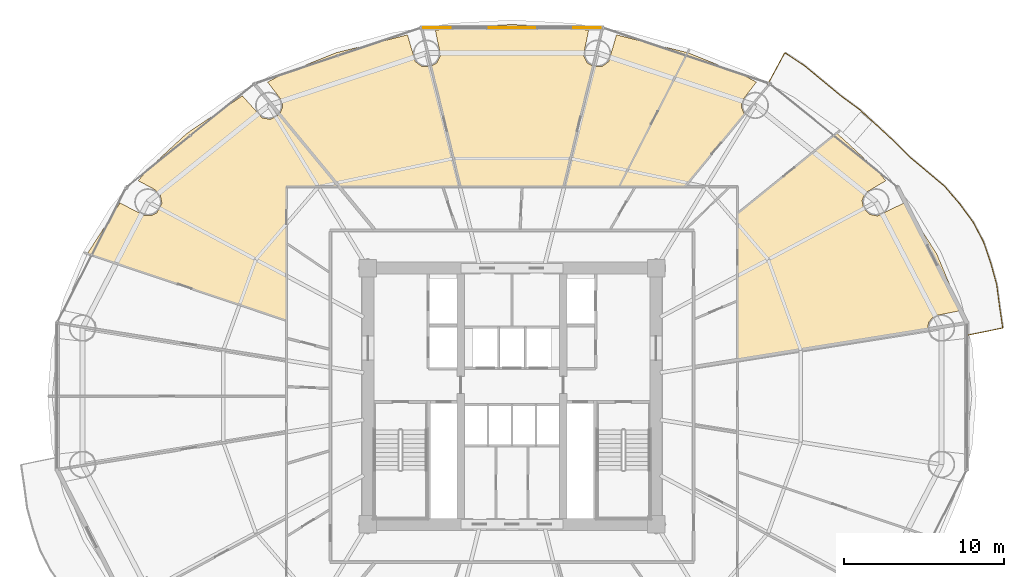
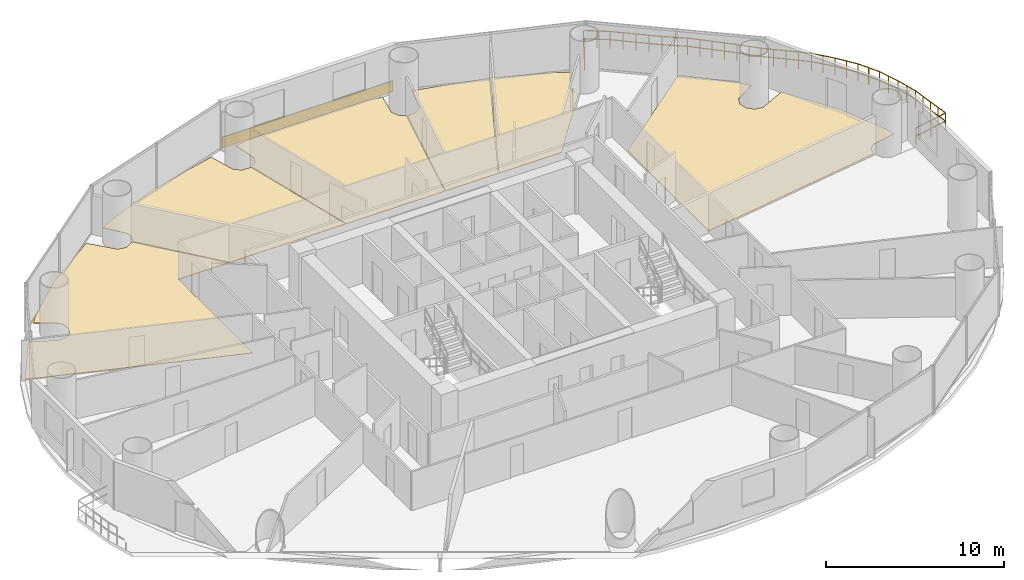
# One storey, part 28 of 28: 7 coverings, 1 railing.
"""IFC4 building model written with IfcOpenShell, lengths in metres."""

import ifcopenshell
import ifcopenshell.guid

model = None  # the IFC model being written
_history = None  # IfcOwnerHistory: only IFC2X3 demands one
_inside = {}  # id of a spatial element -> (the spatial element, [elements in it])
_under = {}  # id of a project, library or spatial element -> (it, [spatial elements below it])
_declared = {}  # id of a project -> (the project, [libraries it declares])
_typed = {}  # id of a type object -> (the type object, [elements of that type])
_made_of = {}  # id of a material, layer set ... -> (it, [elements and type objects made of it])


def new_model(schema):
    """Start an empty IFC model of exactly this schema.

    Asked for "IFC4X3", IfcOpenShell would pick the latest addendum, in which some entities
    have other attributes; the version numbers below select the first issue.
    IFC2X3 requires an IfcOwnerHistory on every rooted entity: one is made here for all.
    """
    global model, _history
    if schema == "IFC4X3":
        model = ifcopenshell.file(schema_version=(4, 3, 0, 0))
    else:
        model = ifcopenshell.file(schema=schema)
    _inside.clear()
    _under.clear()
    _declared.clear()
    _typed.clear()
    _made_of.clear()
    _history = None
    if model.schema == "IFC2X3":
        org = make("IfcOrganization", Name="unknown")
        user = make(
            "IfcPersonAndOrganization",
            ThePerson=make("IfcPerson", FamilyName="unknown"),
            TheOrganization=org,
        )
        app = make(
            "IfcApplication",
            ApplicationDeveloper=org,
            Version="unknown",
            ApplicationFullName="unknown",
            ApplicationIdentifier="unknown",
        )
        _history = make(
            "IfcOwnerHistory",
            OwningUser=user,
            OwningApplication=app,
            ChangeAction="ADDED",
            CreationDate=0,
        )
    return model


def make(cls, **values):
    """One entity of the class cls with the attributes given. An attribute that is None is left unset."""
    return model.create_entity(
        cls, **{name: value for name, value in values.items() if value is not None}
    )


def rooted(cls, **values):
    """An entity with a GlobalId (a new one), such as an element, a storey or a relation."""
    return make(cls, GlobalId=ifcopenshell.guid.new(), OwnerHistory=_history, **values)


def si_unit(unit_type, name, prefix=None):
    """IfcSIUnit, for example si_unit("LENGTHUNIT", "METRE", prefix="MILLI")."""
    return make("IfcSIUnit", UnitType=unit_type, Prefix=prefix, Name=name)


def assignment(units):
    """IfcUnitAssignment: the units of a project."""
    return None if units is None else make("IfcUnitAssignment", Units=units)


def point(xyz):
    """IfcCartesianPoint."""
    return None if xyz is None else make("IfcCartesianPoint", Coordinates=xyz)


def direction(xyz):
    """IfcDirection."""
    return None if xyz is None else make("IfcDirection", DirectionRatios=xyz)


def frame(location, z_axis=None, x_axis=None):
    """IfcAxis2Placement3D, a coordinate frame: its origin and axes. An axis left out is left unset."""
    return make(
        "IfcAxis2Placement3D",
        Location=point(location),
        Axis=direction(z_axis),
        RefDirection=direction(x_axis),
    )


def frame_2d(location, x_axis=None):
    """IfcAxis2Placement2D, a coordinate frame in the plane: its origin and x axis."""
    return make(
        "IfcAxis2Placement2D", Location=point(location), RefDirection=direction(x_axis)
    )


def origin():
    """The frame at (0, 0, 0) with its axes left unset."""
    return frame((0.0, 0.0, 0.0))


def origin_2d():
    """The frame at (0, 0) in the plane with its x axis left unset."""
    return frame_2d((0.0, 0.0))


def place(relative_to, where):
    """IfcLocalPlacement: puts the frame where relative to a parent placement (None: the world)."""
    return make(
        "IfcLocalPlacement", PlacementRelTo=relative_to, RelativePlacement=where
    )


def context(
    kind, dimensions, precision=None, world=None, true_north=None, identifier=None
):
    """IfcGeometricRepresentationContext, for example the 3D "Model" context."""
    return make(
        "IfcGeometricRepresentationContext",
        ContextIdentifier=identifier,
        ContextType=kind,
        CoordinateSpaceDimension=dimensions,
        Precision=precision,
        WorldCoordinateSystem=world,
        TrueNorth=true_north,
    )


def subcontext(parent, identifier, kind, view, scale=None):
    """IfcGeometricRepresentationSubContext, for example "Body" below "Model"."""
    return make(
        "IfcGeometricRepresentationSubContext",
        ContextIdentifier=identifier,
        ContextType=kind,
        ParentContext=parent,
        TargetScale=scale,
        TargetView=view,
    )


def project(units=None, contexts=None):
    """IfcProject with its units and contexts."""
    return rooted(
        "IfcProject",
        Name="project",
        RepresentationContexts=contexts,
        UnitsInContext=assignment(units),
    )


def spatial(cls, under=None, at=None, **own):
    """A site, building, storey or space (cls), placed at a placement, below another one or the project."""
    s = rooted(cls, ObjectPlacement=at, **own)
    if under is not None:
        _under.setdefault(under.id(), (under, []))[1].append(s)
    return s


def polyline(points):
    """IfcPolyline through the points."""
    return make("IfcPolyline", Points=[point(p) for p in points])


def profile(cls, at=None, kind="AREA", **sizes):
    """A parametric profile (cls). Its sizes go by their IFC names, for example OverallWidth=200.0."""
    return make(cls, ProfileType=kind, Position=at, **sizes)


def rectangle(**sizes):
    """IfcRectangleProfileDef."""
    return profile("IfcRectangleProfileDef", **sizes)


def outline(outer, holes=None, kind="AREA"):
    """IfcArbitraryClosedProfileDef: a profile drawn as a closed curve; with holes, ...WithVoids."""
    if holes is None:
        return make("IfcArbitraryClosedProfileDef", ProfileType=kind, OuterCurve=outer)
    return make(
        "IfcArbitraryProfileDefWithVoids",
        ProfileType=kind,
        OuterCurve=outer,
        InnerCurves=holes,
    )


def extrude(swept, where, along, depth):
    """IfcExtrudedAreaSolid: the profile swept, set in the frame where, extruded along a direction by depth."""
    return make(
        "IfcExtrudedAreaSolid",
        SweptArea=swept,
        Position=where,
        ExtrudedDirection=direction(along),
        Depth=depth,
    )


def shape(context_of_items, identifier, shape_type, items):
    """IfcShapeRepresentation: the items that make up one representation, for example the "Body"."""
    return make(
        "IfcShapeRepresentation",
        ContextOfItems=context_of_items,
        RepresentationIdentifier=identifier,
        RepresentationType=shape_type,
        Items=items,
    )


def source(mapping_origin, context_of_items, identifier, shape_type, items):
    """IfcRepresentationMap: a shape defined once, which mapped items show again and again."""
    return make(
        "IfcRepresentationMap",
        MappingOrigin=mapping_origin,
        MappedRepresentation=shape(context_of_items, identifier, shape_type, items),
    )


def transform(
    local_origin,
    x_axis=None,
    y_axis=None,
    z_axis=None,
    scale=None,
    scale2=None,
    scale3=None,
    uniform=True,
):
    """IfcCartesianTransformationOperator3D, or its non-uniform kind. x_axis, y_axis, z_axis: its Axis1, 2, 3."""
    if uniform:
        return make(
            "IfcCartesianTransformationOperator3D",
            Axis1=direction(x_axis),
            Axis2=direction(y_axis),
            LocalOrigin=point(local_origin),
            Scale=scale,
            Axis3=direction(z_axis),
        )
    return make(
        "IfcCartesianTransformationOperator3DnonUniform",
        Axis1=direction(x_axis),
        Axis2=direction(y_axis),
        LocalOrigin=point(local_origin),
        Scale=scale,
        Axis3=direction(z_axis),
        Scale2=scale2,
        Scale3=scale3,
    )


def mapped(mapping_source, mapping_target):
    """IfcMappedItem: shows the shape of a source again, moved by a transform."""
    return make(
        "IfcMappedItem", MappingSource=mapping_source, MappingTarget=mapping_target
    )


def material(Name=None, Category=None):
    """IfcMaterial."""
    return make("IfcMaterial", Name=Name, Category=Category)


def layer(
    of_material, thickness, ventilated=None, Name=None, Category=None, Priority=None
):
    """IfcMaterialLayer: one layer of a wall or slab, of a material (None: an air gap)."""
    return make(
        "IfcMaterialLayer",
        Material=of_material,
        LayerThickness=thickness,
        IsVentilated=ventilated,
        Name=Name,
        Category=Category,
        Priority=Priority,
    )


def layer_set(layers, Name=None):
    """IfcMaterialLayerSet."""
    return make("IfcMaterialLayerSet", MaterialLayers=layers, LayerSetName=Name)


def made_of(thing, what):
    """Note that an element or type object is made of a material, layer set ...; save() writes the relation."""
    if what is not None:
        _made_of.setdefault(what.id(), (what, []))[1].append(thing)
    return thing


def type_object(cls, material=None, **own):
    """A type object (cls), such as IfcWallType, which elements share."""
    return made_of(rooted(cls, **own), material)


def element(
    cls,
    number,
    at=None,
    inside=None,
    cuts=None,
    type_object=None,
    material=None,
    context=None,
    identifier="Body",
    shape_type=None,
    held_by="IfcProductDefinitionShape",
    body=None,
    shapes=None,
    **own,
):
    """One element of the class cls, such as IfcWall. Its Tag is "e" and its number.

    at: its placement. inside: the storey or other place that contains it. cuts: it is an
    opening in that element (IfcRelVoidsElement). A single representation is given by context,
    identifier, shape_type and body (its items); several are given by shapes. held_by: the class
    of the entity that holds the representations. save() writes the other relations.
    """
    e = rooted(cls, Tag="e%d" % number, ObjectPlacement=at, **own)
    if body is not None:
        shapes = [shape(context, identifier, shape_type, body)]
    if shapes is not None:
        e.Representation = make(held_by, Representations=shapes)
    if inside is not None:
        _inside.setdefault(inside.id(), (inside, []))[1].append(e)
    if cuts is not None:
        rooted(
            "IfcRelVoidsElement", RelatingBuildingElement=cuts, RelatedOpeningElement=e
        )
    if type_object is not None:
        _typed.setdefault(type_object.id(), (type_object, []))[1].append(e)
    return made_of(e, material)


def aggregate(whole, parts):
    """IfcRelAggregates: a whole, such as a stair, and the parts it consists of."""
    return rooted("IfcRelAggregates", RelatingObject=whole, RelatedObjects=parts)


def save(model, path):
    """Write the relations noted so far, then the file.

    IfcRelAggregates (storeys below a building ...), IfcRelContainedInSpatialStructure (elements
    in a storey), IfcRelDefinesByType, IfcRelAssociatesMaterial and IfcRelDeclares: one each for
    every whole, place, type object, material and project.
    """
    for whole, parts in _under.values():
        aggregate(whole, parts)
    for where, things in _inside.values():
        rooted(
            "IfcRelContainedInSpatialStructure",
            RelatedElements=things,
            RelatingStructure=where,
        )
    for kind, things in _typed.values():
        rooted("IfcRelDefinesByType", RelatedObjects=things, RelatingType=kind)
    for what, things in _made_of.values():
        rooted("IfcRelAssociatesMaterial", RelatedObjects=things, RelatingMaterial=what)
    for by, libraries in _declared.values():
        rooted("IfcRelDeclares", RelatingContext=by, RelatedDefinitions=libraries)
    model.write(path)


model = new_model("IFC4")

# Units and contexts
model_context = context("Model", 3, precision=1e-05, world=origin(), true_north=direction((-0.2419218956, 0.970295726276)))
body_context = subcontext(model_context, "Body", "Model", "MODEL_VIEW")
ifc_project = project(units=[si_unit("LENGTHUNIT", "METRE"), si_unit("AREAUNIT", "SQUARE_METRE"), si_unit("VOLUMEUNIT", "CUBIC_METRE"), si_unit("PLANEANGLEUNIT", "RADIAN"), si_unit("MASSUNIT", "GRAM", prefix="KILO")], contexts=[model_context])

# Site, building, storey
site_placement = place(None, origin())
site = spatial("IfcSite", under=ifc_project, at=site_placement, CompositionType="ELEMENT")
building_placement = place(site_placement, origin())
building = spatial("IfcBuilding", under=site, at=building_placement, Name="Cobrevalo Terracotta Tower", CompositionType="ELEMENT")
storey_placement = place(building_placement, frame((0.0, 0.0, 42.0)))
storey = spatial("IfcBuildingStorey", under=building, at=storey_placement, Name="L10", CompositionType="ELEMENT", Elevation=42.0)

# Railing
ifc_material_1 = material(Name="Laminated structural glass and stainless steel", Category="steel")
railing_type = type_object("IfcRailingType", Name="Balcony lobe structural glass & terracotta-cap balustrade 1180 mm", PredefinedType="BALUSTRADE", material=ifc_material_1)
railing_placement = place(storey_placement, frame((66.475341796875, 30.618408203125, 0.0)))
element("IfcRailing", 1, at=railing_placement, inside=storey, type_object=railing_type, Name="L10 spiralling balcony lobe balustrade 1", PredefinedType="BALUSTRADE", context=body_context, shape_type="SweptSolid", body=[
    extrude(rectangle(XDim=0.048095703125, YDim=0.048095703125, at=origin_2d()), frame((0.0, 0.0, 1.15576171875), z_axis=(0.979786025764, 0.200048353448, 0.0), x_axis=(-0.200048353448, 0.979786025764, 0.0)), (0.0, 0.0, 1.0), 2.219970703125),
    extrude(rectangle(XDim=0.048095703125, YDim=0.048095703125, at=origin_2d()), frame((0.0, 0.0, 0.58984375), z_axis=(0.979786025764, 0.200048353448, 0.0), x_axis=(-0.200048353448, 0.979786025764, 0.0)), (0.0, 0.0, 1.0), 2.219970703125),
    extrude(rectangle(XDim=0.048095703125, YDim=0.048095703125, at=origin_2d()), frame((2.175048828125, 0.444091796875, 1.15576171875), z_axis=(-0.144640429944, 0.989484282859, 0.0), x_axis=(-0.989484282859, -0.144640429944, 0.0)), (0.0, 0.0, 1.0), 1.35888671875),
    extrude(rectangle(XDim=0.048095703125, YDim=0.048095703125, at=origin_2d()), frame((2.175048828125, 0.444091796875, 0.58984375), z_axis=(-0.144640429944, 0.989484282859, 0.0), x_axis=(-0.989484282859, -0.144640429944, 0.0)), (0.0, 0.0, 1.0), 1.35888671875),
    extrude(rectangle(XDim=0.048095703125, YDim=0.048095703125, at=origin_2d()), frame((1.978515625, 1.78857421875, 1.15576171875), z_axis=(-0.131525956462, 0.991312727033, 0.0), x_axis=(-0.991312727033, -0.131525956462, 0.0)), (0.0, 0.0, 1.0), 1.379150390625),
    extrude(rectangle(XDim=0.048095703125, YDim=0.048095703125, at=origin_2d()), frame((1.978515625, 1.78857421875, 0.58984375), z_axis=(-0.131525956462, 0.991312727033, 0.0), x_axis=(-0.991312727033, -0.131525956462, 0.0)), (0.0, 0.0, 1.0), 1.379150390625),
    extrude(rectangle(XDim=0.048095703125, YDim=0.048095703125, at=origin_2d()), frame((1.797119140625, 3.15576171875, 1.15576171875), z_axis=(-0.265783120913, 0.964032848319, 0.0), x_axis=(-0.964032848319, -0.265783120913, 0.0)), (0.0, 0.0, 1.0), 1.394287109375),
    extrude(rectangle(XDim=0.048095703125, YDim=0.048095703125, at=origin_2d()), frame((1.797119140625, 3.15576171875, 0.58984375), z_axis=(-0.265783120913, 0.964032848319, 0.0), x_axis=(-0.964032848319, -0.265783120913, 0.0)), (0.0, 0.0, 1.0), 1.394287109375),
    extrude(rectangle(XDim=0.048095703125, YDim=0.048095703125, at=origin_2d()), frame((1.426513671875, 4.5, 1.15576171875), z_axis=(-0.323330406912, 0.946286134299, 0.0), x_axis=(-0.946286134299, -0.323330406912, 0.0)), (0.0, 0.0, 1.0), 1.400634765625),
    extrude(rectangle(XDim=0.048095703125, YDim=0.048095703125, at=origin_2d()), frame((1.426513671875, 4.5, 0.58984375), z_axis=(-0.323330406912, 0.946286134299, 0.0), x_axis=(-0.946286134299, -0.323330406912, 0.0)), (0.0, 0.0, 1.0), 1.400634765625),
    extrude(rectangle(XDim=0.048095703125, YDim=0.048095703125, at=origin_2d()), frame((0.9736328125, 5.825439453125, 1.15576171875), z_axis=(-0.467425457667, 0.884032488953, 0.0), x_axis=(-0.884032488953, -0.467425457667, 0.0)), (0.0, 0.0, 1.0), 1.40771484375),
    extrude(rectangle(XDim=0.048095703125, YDim=0.048095703125, at=origin_2d()), frame((0.9736328125, 5.825439453125, 0.58984375), z_axis=(-0.467425457667, 0.884032488953, 0.0), x_axis=(-0.884032488953, -0.467425457667, 0.0)), (0.0, 0.0, 1.0), 1.40771484375),
    extrude(rectangle(XDim=0.048095703125, YDim=0.048095703125, at=origin_2d()), frame((0.315673828125, 7.06982421875, 1.15576171875), z_axis=(-0.593257524322, 0.805012738928, 0.0), x_axis=(-0.805012738928, -0.593257524322, 0.0)), (0.0, 0.0, 1.0), 1.423828125),
    extrude(rectangle(XDim=0.048095703125, YDim=0.048095703125, at=origin_2d()), frame((0.315673828125, 7.06982421875, 0.58984375), z_axis=(-0.593257524322, 0.805012738928, 0.0), x_axis=(-0.805012738928, -0.593257524322, 0.0)), (0.0, 0.0, 1.0), 1.423828125),
    extrude(rectangle(XDim=0.048095703125, YDim=0.048095703125, at=origin_2d()), frame((-0.529052734375, 8.216064453125, 1.15576171875), z_axis=(-0.650748670381, 0.759293202918, 0.0), x_axis=(-0.759293202918, -0.650748670381, 0.0)), (0.0, 0.0, 1.0), 1.41259765625),
    extrude(rectangle(XDim=0.048095703125, YDim=0.048095703125, at=origin_2d()), frame((-0.529052734375, 8.216064453125, 0.58984375), z_axis=(-0.650748670381, 0.759293202918, 0.0), x_axis=(-0.759293202918, -0.650748670381, 0.0)), (0.0, 0.0, 1.0), 1.41259765625),
    extrude(rectangle(XDim=0.048095703125, YDim=0.048095703125, at=origin_2d()), frame((-1.4482421875, 9.28857421875, 1.15576171875), z_axis=(-0.76467627237, 0.6444146169, 0.0), x_axis=(-0.6444146169, -0.76467627237, 0.0)), (0.0, 0.0, 1.0), 1.45556640625),
    extrude(rectangle(XDim=0.048095703125, YDim=0.048095703125, at=origin_2d()), frame((-1.4482421875, 9.28857421875, 0.58984375), z_axis=(-0.76467627237, 0.6444146169, 0.0), x_axis=(-0.6444146169, -0.76467627237, 0.0)), (0.0, 0.0, 1.0), 1.45556640625),
    extrude(rectangle(XDim=0.048095703125, YDim=0.048095703125, at=origin_2d()), frame((-2.561279296875, 10.2265625, 1.15576171875), z_axis=(-0.76702627979, 0.641615684122, 0.0), x_axis=(-0.641615684122, -0.76702627979, 0.0)), (0.0, 0.0, 1.0), 1.425048828125),
    extrude(rectangle(XDim=0.048095703125, YDim=0.048095703125, at=origin_2d()), frame((-2.561279296875, 10.2265625, 0.58984375), z_axis=(-0.76702627979, 0.641615684122, 0.0), x_axis=(-0.641615684122, -0.76702627979, 0.0)), (0.0, 0.0, 1.0), 1.425048828125),
    extrude(rectangle(XDim=0.048095703125, YDim=0.048095703125, at=origin_2d()), frame((-3.654296875, 11.140869140625, 1.15576171875), z_axis=(-0.70510772044, 0.709100206301, 0.0), x_axis=(-0.709100206301, -0.70510772044, 0.0)), (0.0, 0.0, 1.0), 1.406494140625),
    extrude(rectangle(XDim=0.048095703125, YDim=0.048095703125, at=origin_2d()), frame((-3.654296875, 11.140869140625, 0.58984375), z_axis=(-0.70510772044, 0.709100206301, 0.0), x_axis=(-0.709100206301, -0.70510772044, 0.0)), (0.0, 0.0, 1.0), 1.406494140625),
    extrude(rectangle(XDim=0.048095703125, YDim=0.048095703125, at=origin_2d()), frame((-4.64599609375, 12.13818359375, 1.15576171875), z_axis=(-0.733969275627, 0.679182672361, 0.0), x_axis=(-0.679182672361, -0.733969275627, 0.0)), (0.0, 0.0, 1.0), 1.426025390625),
    extrude(rectangle(XDim=0.048095703125, YDim=0.048095703125, at=origin_2d()), frame((-4.64599609375, 12.13818359375, 0.58984375), z_axis=(-0.733969275627, 0.679182672361, 0.0), x_axis=(-0.679182672361, -0.733969275627, 0.0)), (0.0, 0.0, 1.0), 1.426025390625),
    extrude(rectangle(XDim=0.048095703125, YDim=0.048095703125, at=origin_2d()), frame((-5.692626953125, 13.106689453125, 1.15576171875), z_axis=(-0.736228238624, 0.676733315755, 0.0), x_axis=(-0.676733315755, -0.736228238624, 0.0)), (0.0, 0.0, 1.0), 1.423828125),
    extrude(rectangle(XDim=0.048095703125, YDim=0.048095703125, at=origin_2d()), frame((-5.692626953125, 13.106689453125, 0.58984375), z_axis=(-0.736228238624, 0.676733315755, 0.0), x_axis=(-0.676733315755, -0.736228238624, 0.0)), (0.0, 0.0, 1.0), 1.423828125),
    extrude(rectangle(XDim=0.048095703125, YDim=0.048095703125, at=origin_2d()), frame((-6.740966796875, 14.0703125, 1.15576171875), z_axis=(-0.805709975277, 0.592310252941, 0.0), x_axis=(-0.592310252941, -0.805709975277, 0.0)), (0.0, 0.0, 1.0), 1.452880859375),
    extrude(rectangle(XDim=0.048095703125, YDim=0.048095703125, at=origin_2d()), frame((-6.740966796875, 14.0703125, 0.58984375), z_axis=(-0.805709975277, 0.592310252941, 0.0), x_axis=(-0.592310252941, -0.805709975277, 0.0)), (0.0, 0.0, 1.0), 1.452880859375),
    extrude(rectangle(XDim=0.048095703125, YDim=0.048095703125, at=origin_2d()), frame((-7.91162109375, 14.930908203125, 1.15576171875), z_axis=(-0.771901335094, 0.635742344727, 0.0), x_axis=(-0.635742344727, -0.771901335094, 0.0)), (0.0, 0.0, 1.0), 1.463134765625),
    extrude(rectangle(XDim=0.048095703125, YDim=0.048095703125, at=origin_2d()), frame((-7.91162109375, 14.930908203125, 0.58984375), z_axis=(-0.771901335094, 0.635742344727, 0.0), x_axis=(-0.635742344727, -0.771901335094, 0.0)), (0.0, 0.0, 1.0), 1.463134765625),
    extrude(rectangle(XDim=0.048095703125, YDim=0.048095703125, at=origin_2d()), frame((-9.041015625, 15.861083984375, 1.15576171875), z_axis=(-0.768382955244, 0.63999033906, 0.0), x_axis=(-0.63999033906, -0.768382955244, 0.0)), (0.0, 0.0, 1.0), 1.485107421875),
    extrude(rectangle(XDim=0.048095703125, YDim=0.048095703125, at=origin_2d()), frame((-9.041015625, 15.861083984375, 0.58984375), z_axis=(-0.768382955244, 0.63999033906, 0.0), x_axis=(-0.63999033906, -0.768382955244, 0.0)), (0.0, 0.0, 1.0), 1.485107421875),
    extrude(rectangle(XDim=0.048095703125, YDim=0.048095703125, at=origin_2d()), frame((-10.18212890625, 16.8115234375, 1.15576171875), z_axis=(-0.834089009744, 0.55162987938, 0.0), x_axis=(-0.55162987938, -0.834089009744, 0.0)), (0.0, 0.0, 1.0), 1.506591796875),
    extrude(rectangle(XDim=0.048095703125, YDim=0.048095703125, at=origin_2d()), frame((-10.18212890625, 16.8115234375, 0.58984375), z_axis=(-0.834089009744, 0.55162987938, 0.0), x_axis=(-0.55162987938, -0.834089009744, 0.0)), (0.0, 0.0, 1.0), 1.506591796875),
    extrude(rectangle(XDim=0.048095703125, YDim=0.048095703125, at=origin_2d()), frame((-11.438720703125, 17.642578125, 1.15576171875), z_axis=(-0.474554750379, -0.880225987399, 0.0), x_axis=(0.880225987399, -0.474554750379, 0.0)), (0.0, 0.0, 1.0), 2.27197265625),
    extrude(rectangle(XDim=0.048095703125, YDim=0.048095703125, at=origin_2d()), frame((-11.438720703125, 17.642578125, 0.58984375), z_axis=(-0.474554750379, -0.880225987399, 0.0), x_axis=(0.880225987399, -0.474554750379, 0.0)), (0.0, 0.0, 1.0), 2.27197265625),
    extrude(rectangle(XDim=0.0419921875, YDim=0.0419921875, at=origin_2d()), origin(), (0.0, 0.0, 1.0), 1.1318359375),
    extrude(rectangle(XDim=0.0419921875, YDim=0.0419921875, at=origin_2d()), frame((1.08740234375, 0.22216796875, 0.0)), (0.0, 0.0, 1.0), 1.1318359375),
    extrude(rectangle(XDim=0.0419921875, YDim=0.0419921875, at=origin_2d()), frame((2.175048828125, 0.444091796875, 0.0)), (0.0, 0.0, 1.0), 1.1318359375),
    extrude(rectangle(XDim=0.0419921875, YDim=0.0419921875, at=origin_2d()), frame((2.07666015625, 1.1162109375, 0.0)), (0.0, 0.0, 1.0), 1.1318359375),
    extrude(rectangle(XDim=0.0419921875, YDim=0.0419921875, at=origin_2d()), frame((1.978515625, 1.78857421875, 0.0)), (0.0, 0.0, 1.0), 1.1318359375),
    extrude(rectangle(XDim=0.0419921875, YDim=0.0419921875, at=origin_2d()), frame((1.8876953125, 2.47216796875, 0.0)), (0.0, 0.0, 1.0), 1.1318359375),
    extrude(rectangle(XDim=0.0419921875, YDim=0.0419921875, at=origin_2d()), frame((1.797119140625, 3.15576171875, 0.0)), (0.0, 0.0, 1.0), 1.1318359375),
    extrude(rectangle(XDim=0.0419921875, YDim=0.0419921875, at=origin_2d()), frame((1.61181640625, 3.827880859375, 0.0)), (0.0, 0.0, 1.0), 1.1318359375),
    extrude(rectangle(XDim=0.0419921875, YDim=0.0419921875, at=origin_2d()), frame((1.426513671875, 4.5, 0.0)), (0.0, 0.0, 1.0), 1.1318359375),
    extrude(rectangle(XDim=0.0419921875, YDim=0.0419921875, at=origin_2d()), frame((1.2001953125, 5.16259765625, 0.0)), (0.0, 0.0, 1.0), 1.1318359375),
    extrude(rectangle(XDim=0.0419921875, YDim=0.0419921875, at=origin_2d()), frame((0.9736328125, 5.825439453125, 0.0)), (0.0, 0.0, 1.0), 1.1318359375),
    extrude(rectangle(XDim=0.0419921875, YDim=0.0419921875, at=origin_2d()), frame((0.64453125, 6.44775390625, 0.0)), (0.0, 0.0, 1.0), 1.1318359375),
    extrude(rectangle(XDim=0.0419921875, YDim=0.0419921875, at=origin_2d()), frame((0.315673828125, 7.06982421875, 0.0)), (0.0, 0.0, 1.0), 1.1318359375),
    extrude(rectangle(XDim=0.0419921875, YDim=0.0419921875, at=origin_2d()), frame((-0.106689453125, 7.64306640625, 0.0)), (0.0, 0.0, 1.0), 1.1318359375),
    extrude(rectangle(XDim=0.0419921875, YDim=0.0419921875, at=origin_2d()), frame((-0.529052734375, 8.216064453125, 0.0)), (0.0, 0.0, 1.0), 1.1318359375),
    extrude(rectangle(XDim=0.0419921875, YDim=0.0419921875, at=origin_2d()), frame((-0.98876953125, 8.75244140625, 0.0)), (0.0, 0.0, 1.0), 1.1318359375),
    extrude(rectangle(XDim=0.0419921875, YDim=0.0419921875, at=origin_2d()), frame((-1.4482421875, 9.28857421875, 0.0)), (0.0, 0.0, 1.0), 1.1318359375),
    extrude(rectangle(XDim=0.0419921875, YDim=0.0419921875, at=origin_2d()), frame((-2.0048828125, 9.757568359375, 0.0)), (0.0, 0.0, 1.0), 1.1318359375),
    extrude(rectangle(XDim=0.0419921875, YDim=0.0419921875, at=origin_2d()), frame((-2.561279296875, 10.2265625, 0.0)), (0.0, 0.0, 1.0), 1.1318359375),
    extrude(rectangle(XDim=0.0419921875, YDim=0.0419921875, at=origin_2d()), frame((-3.10791015625, 10.68359375, 0.0)), (0.0, 0.0, 1.0), 1.1318359375),
    extrude(rectangle(XDim=0.0419921875, YDim=0.0419921875, at=origin_2d()), frame((-3.654296875, 11.140869140625, 0.0)), (0.0, 0.0, 1.0), 1.1318359375),
    extrude(rectangle(XDim=0.0419921875, YDim=0.0419921875, at=origin_2d()), frame((-4.150146484375, 11.6396484375, 0.0)), (0.0, 0.0, 1.0), 1.1318359375),
    extrude(rectangle(XDim=0.0419921875, YDim=0.0419921875, at=origin_2d()), frame((-4.64599609375, 12.13818359375, 0.0)), (0.0, 0.0, 1.0), 1.1318359375),
    extrude(rectangle(XDim=0.0419921875, YDim=0.0419921875, at=origin_2d()), frame((-5.16943359375, 12.62255859375, 0.0)), (0.0, 0.0, 1.0), 1.1318359375),
    extrude(rectangle(XDim=0.0419921875, YDim=0.0419921875, at=origin_2d()), frame((-5.692626953125, 13.106689453125, 0.0)), (0.0, 0.0, 1.0), 1.1318359375),
    extrude(rectangle(XDim=0.0419921875, YDim=0.0419921875, at=origin_2d()), frame((-6.216796875, 13.58837890625, 0.0)), (0.0, 0.0, 1.0), 1.1318359375),
    extrude(rectangle(XDim=0.0419921875, YDim=0.0419921875, at=origin_2d()), frame((-6.740966796875, 14.0703125, 0.0)), (0.0, 0.0, 1.0), 1.1318359375),
    extrude(rectangle(XDim=0.0419921875, YDim=0.0419921875, at=origin_2d()), frame((-7.326171875, 14.50048828125, 0.0)), (0.0, 0.0, 1.0), 1.1318359375),
    extrude(rectangle(XDim=0.0419921875, YDim=0.0419921875, at=origin_2d()), frame((-7.91162109375, 14.930908203125, 0.0)), (0.0, 0.0, 1.0), 1.1318359375),
    extrude(rectangle(XDim=0.0419921875, YDim=0.0419921875, at=origin_2d()), frame((-8.476318359375, 15.39599609375, 0.0)), (0.0, 0.0, 1.0), 1.1318359375),
    extrude(rectangle(XDim=0.0419921875, YDim=0.0419921875, at=origin_2d()), frame((-9.041015625, 15.861083984375, 0.0)), (0.0, 0.0, 1.0), 1.1318359375),
    extrude(rectangle(XDim=0.0419921875, YDim=0.0419921875, at=origin_2d()), frame((-9.611572265625, 16.33642578125, 0.0)), (0.0, 0.0, 1.0), 1.1318359375),
    extrude(rectangle(XDim=0.0419921875, YDim=0.0419921875, at=origin_2d()), frame((-10.18212890625, 16.8115234375, 0.0)), (0.0, 0.0, 1.0), 1.1318359375),
    extrude(rectangle(XDim=0.0419921875, YDim=0.0419921875, at=origin_2d()), frame((-10.810546875, 17.22705078125, 0.0)), (0.0, 0.0, 1.0), 1.1318359375),
    extrude(rectangle(XDim=0.0419921875, YDim=0.0419921875, at=origin_2d()), frame((-11.438720703125, 17.642578125, 0.0)), (0.0, 0.0, 1.0), 1.1318359375),
    extrude(rectangle(XDim=0.0419921875, YDim=0.0419921875, at=origin_2d()), frame((-11.977783203125, 16.642578125, 0.0)), (0.0, 0.0, 1.0), 1.1318359375),
    extrude(rectangle(XDim=0.0419921875, YDim=0.0419921875, at=origin_2d()), frame((-12.516845703125, 15.642822265625, 0.0)), (0.0, 0.0, 1.0), 1.1318359375),
])

# Coverings
ifc_material_2 = material(Name="Engineered Brazilian hardwood flooring", Category="wood")
ifc_layer_1 = layer(ifc_material_2, 0.028076171875)
ifc_layer_set_1 = layer_set([ifc_layer_1], Name="Engineered Brazilian hardwood flooring")
covering_type_1 = type_object("IfcCoveringType", Name="Engineered Hardwood Suite Flooring 28", PredefinedType="FLOORING", material=ifc_layer_set_1)
covering_1_placement = place(storey_placement, origin())
element("IfcCovering", 2, at=covering_1_placement, inside=storey, type_object=covering_type_1, Name="Flat L10A Penthouse Living and Dining Room floor finish", PredefinedType="FLOORING", context=body_context, shape_type="SweptSolid", body=[
    extrude(outline(polyline([(60.786376953125, 40.933837890625), (61.34423828125, 40.2587890625), (60.060791015625, 39.497802734375), (59.864990234375, 39.02587890625), (59.96435546875, 38.524658203125), (60.325439453125, 38.163330078125), (60.826416015625, 38.063232421875), (62.488037109375, 38.87451171875), (64.534423828125, 35.684326171875), (65.74169921875, 32.80859375), (65.909423828125, 32.126220703125), (64.3642578125, 31.81298828125), (64.025146484375, 31.4306640625), (63.95068359375, 31.003173828125), (52.10498046875, 29.09375), (52.10498046875, 38.2041015625), (58.298583984375, 43.222900390625), (60.786376953125, 40.933837890625)])), origin(), (0.0, 0.0, 1.0), 0.030029296875),
])
covering_2_placement = place(storey_placement, origin())
element("IfcCovering", 3, at=covering_2_placement, inside=storey, type_object=covering_type_1, Name="Flat L10A Principal Guest Bedroom floor finish", PredefinedType="FLOORING", context=body_context, shape_type="SweptSolid", body=[
    extrude(outline(polyline([(52.361572265625, 46.908203125), (53.26318359375, 46.421142578125), (52.35498046875, 45.23095703125), (52.318115234375, 44.889404296875), (52.5048828125, 44.42236328125), (48.780029296875, 39.905029296875), (44.72119140625, 39.905029296875), (48.9873046875, 48.251220703125), (52.361572265625, 46.908203125)])), origin(), (0.0, 0.0, 1.0), 0.030029296875),
])
covering_3_placement = place(storey_placement, origin())
element("IfcCovering", 4, at=covering_3_placement, inside=storey, type_object=covering_type_1, Name="Flat L10A Principal Guest Bedroom floor finish", PredefinedType="FLOORING", context=body_context, shape_type="SweptSolid", body=[
    extrude(outline(polyline([(48.948974609375, 48.263671875), (44.67626953125, 39.905029296875), (41.237548828125, 39.905029296875), (43.075439453125, 47.39306640625), (43.63330078125, 47.40185546875), (44.04345703125, 47.706787109375), (44.527587890625, 49.37451171875), (48.948974609375, 48.263671875)])), origin(), (0.0, 0.0, 1.0), 0.030029296875),
])
covering_4_placement = place(storey_placement, origin())
element("IfcCovering", 5, at=covering_4_placement, inside=storey, type_object=covering_type_1, Name="Flat L10A Penthouse Family Lounge floor finish", PredefinedType="FLOORING", context=body_context, shape_type="SweptSolid", body=[
    extrude(outline(polyline([(38.0, 50.02001953125), (41.749267578125, 49.8212890625), (42.78369140625, 49.65478515625), (42.46533203125, 48.099853515625), (42.6845703125, 47.63818359375), (43.03759765625, 47.406494140625), (41.1962890625, 39.905029296875), (34.8037109375, 39.905029296875), (32.96240234375, 47.406494140625), (33.3154296875, 47.63818359375), (33.53466796875, 48.099853515625), (33.21630859375, 49.65478515625), (34.250732421875, 49.8212890625), (38.0, 50.02001953125)])), origin(), (0.0, 0.0, 1.0), 0.030029296875),
])
covering_5_placement = place(storey_placement, origin())
element("IfcCovering", 6, at=covering_5_placement, inside=storey, type_object=covering_type_1, Name="Flat L10A Penthouse Family Lounge floor finish", PredefinedType="FLOORING", context=body_context, shape_type="SweptSolid", body=[
    extrude(outline(polyline([(23.4951171875, 44.42236328125), (23.681884765625, 44.889404296875), (23.64501953125, 45.23095703125), (22.73681640625, 46.421142578125), (23.638427734375, 46.908203125), (27.008056640625, 48.251953125), (31.472412109375, 49.37451171875), (31.95654296875, 47.706787109375), (32.36669921875, 47.40185546875), (32.924560546875, 47.39306640625), (34.762451171875, 39.905029296875), (27.219970703125, 39.905029296875), (23.4951171875, 44.42236328125)])), origin(), (0.0, 0.0, 1.0), 0.030029296875),
])
covering_6_placement = place(storey_placement, origin())
element("IfcCovering", 7, at=covering_6_placement, inside=storey, type_object=covering_type_1, Name="Flat L10B Penthouse Living and Dining Room floor finish", PredefinedType="FLOORING", context=body_context, shape_type="SweptSolid", body=[
    extrude(outline(polyline([(13.511962890625, 38.87451171875), (15.00439453125, 38.096923828125), (15.51513671875, 38.09716796875), (15.818115234375, 38.25927734375), (16.13525390625, 38.853515625), (16.03515625, 39.3544921875), (15.674560546875, 39.715087890625), (14.65576171875, 40.2587890625), (15.213623046875, 40.933837890625), (17.6904296875, 43.217529296875), (21.156494140625, 45.567138671875), (22.3974609375, 44.1875), (22.899658203125, 44.092529296875), (23.468017578125, 44.392578125), (27.168212890625, 39.905029296875), (23.89501953125, 39.905029296875), (23.89501953125, 31.555419921875), (11.4873046875, 35.72021484375), (13.511962890625, 38.87451171875)])), origin(), (0.0, 0.0, 1.0), 0.030029296875),
])
ifc_material_3 = material(Name="Glazed terracotta facade cladding tile", Category="masonry")
ifc_layer_2 = layer(ifc_material_3, 0.044921875)
ifc_layer_set_2 = layer_set([ifc_layer_2], Name="Glazed terracotta facade cladding tile")
covering_type_2 = type_object("IfcCoveringType", Name="Architectural terracotta rainscreen spandrel cladding 45 mm", PredefinedType="CLADDING", material=ifc_layer_set_2)
shared_shape = source(origin(), body_context, "Body", "SweptSolid", [
    extrude(rectangle(XDim=11.103515625, YDim=0.044921875, at=origin_2d()), origin(), (0.0, 0.0, 1.0), 0.760009765625),
])
covering_7_placement = place(storey_placement, frame((38.0, 49.819091796875, 0.0400390625), z_axis=(0.0, 0.0, 1.0), x_axis=(-1.0, 0.0, 0.0)))
element("IfcCovering", 8, at=covering_7_placement, inside=storey, type_object=covering_type_2, Name="L10 terracotta spandrel cladding S04", PredefinedType="CLADDING", context=body_context, shape_type="MappedRepresentation", body=[
    mapped(shared_shape, transform((0.0, 0.0, 0.0), scale=1.0)),
])

save(model, "model.ifc")
